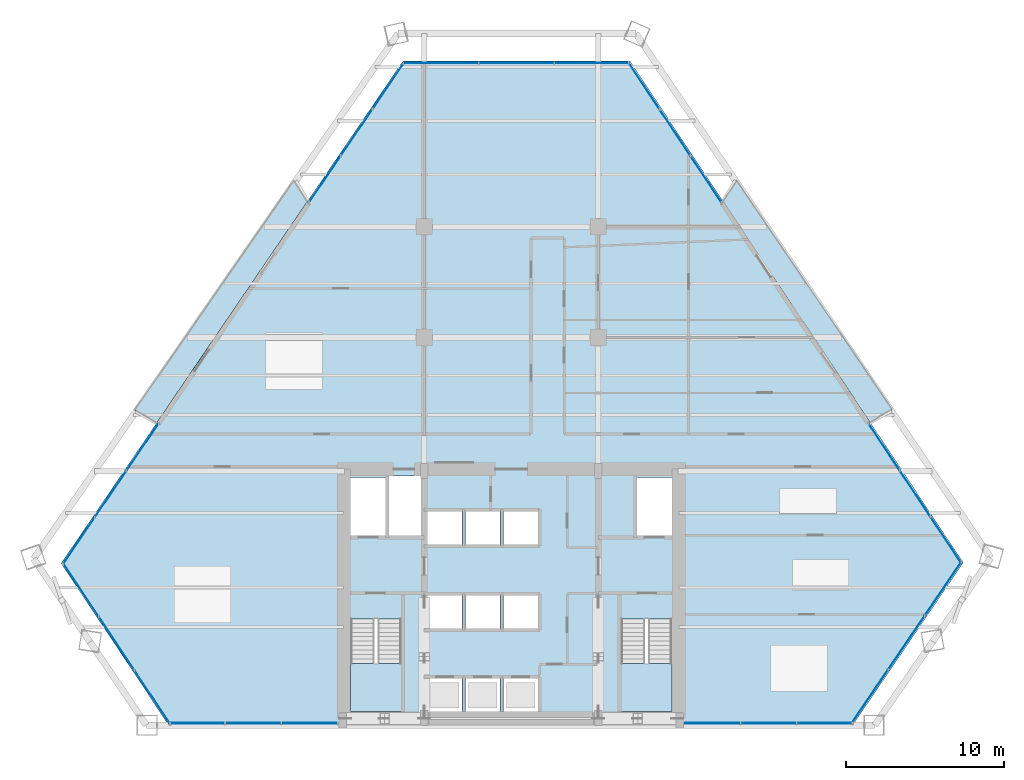
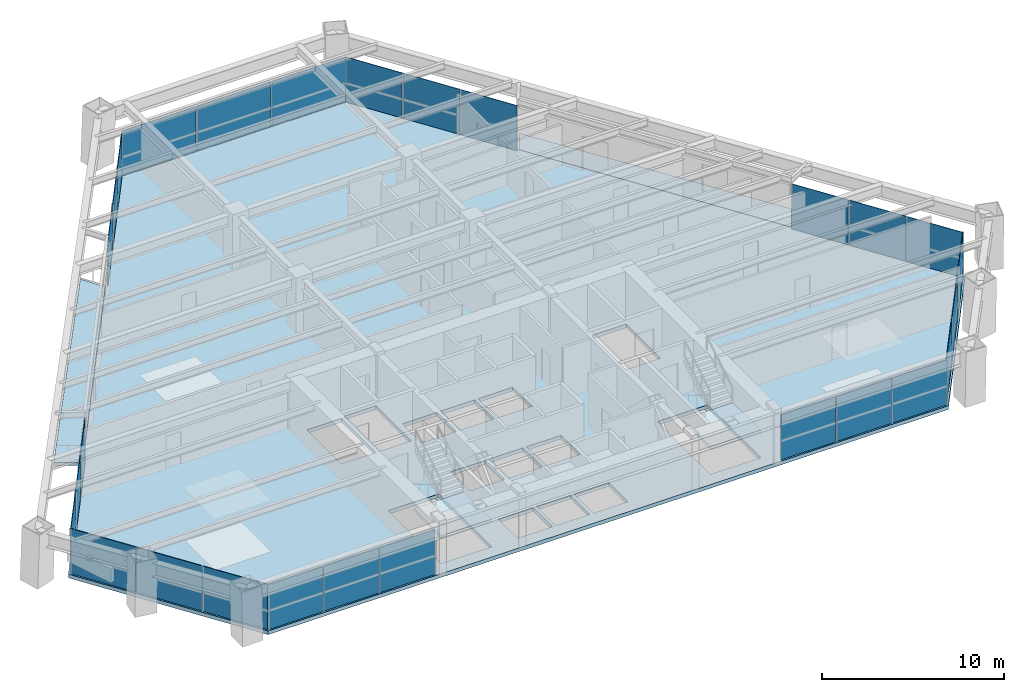
# One storey, part 9 of 15: 27 plates, 5 slabs, 11 elements without a shape of their own.
"""IFC4 building model written with IfcOpenShell, lengths in metres."""

from ifc_helpers import new_model, si_unit, direction, frame, origin, origin_2d, place, context, subcontext, project, spatial, polyline, rectangle, outline, extrude, source, transform, mapped, material, layer, layer_set, type_object, element, aggregate, save


model = new_model("IFC4")

# Units and contexts
model_context = context("Model", 3, precision=1e-05, world=origin(), true_north=direction((0.0, 1.0)))
body_context = subcontext(model_context, "Body", "Model", "MODEL_VIEW")
ifc_project = project(units=[si_unit("LENGTHUNIT", "METRE"), si_unit("AREAUNIT", "SQUARE_METRE"), si_unit("VOLUMEUNIT", "CUBIC_METRE"), si_unit("PLANEANGLEUNIT", "RADIAN"), si_unit("MASSUNIT", "GRAM", prefix="KILO")], contexts=[model_context])

# Site, building, storey
site_placement = place(None, origin())
site = spatial("IfcSite", under=ifc_project, at=site_placement, CompositionType="ELEMENT")
building_placement = place(site_placement, origin())
building = spatial("IfcBuilding", under=site, at=building_placement, Name="Varnakhor Terracotta Tower", CompositionType="ELEMENT")
storey_placement = place(building_placement, frame((0.0, 0.0, 57.10009765625)))
storey = spatial("IfcBuildingStorey", under=building, at=storey_placement, Name="L13", CompositionType="ELEMENT", Elevation=57.10009765625)

# Stair, slab
ifc_material_1 = material(Name="Concrete C40/50", Category="concrete")
stair_type = type_object("IfcStairType", Name="STR-CORE-OFFICE-1500", PredefinedType="HALF_TURN_STAIR", material=ifc_material_1)
stair_1_placement = place(storey_placement, origin())
stair_1 = element("IfcStair", 1, at=stair_1_placement, inside=storey, type_object=stair_type, Name="L13 Core Exit Stair ST-1", PredefinedType="HALF_TURN_STAIR")
ifc_layer_1 = layer(ifc_material_1, 0.179931640625, Name="Concrete C40/50")
ifc_layer_set_1 = layer_set([ifc_layer_1], Name="Concrete C40/50")
slab_type_1 = type_object("IfcSlabType", Name="SLB-LANDING-180", PredefinedType="LANDING", material=ifc_layer_set_1)
slab_1_placement = place(storey_placement, frame((0.0, 0.0, 1.64990234375)))
slab_1 = element("IfcSlab", 2, at=slab_1_placement, type_object=slab_type_1, Name="ST-1 landing 1", PredefinedType="LANDING", context=body_context, shape_type="SweptSolid", body=[
    extrude(outline(polyline([(-10.14990234375, 3.909912109375), (-10.14990234375, 0.85009765625), (-6.949951171875, 0.85009765625), (-6.949951171875, 3.909912109375), (-10.14990234375, 3.909912109375)])), origin(), (0.0, 0.0, 1.0), 0.199951171875),
])
aggregate(stair_1, [slab_1])

stair_2_placement = place(storey_placement, origin())
stair_2 = element("IfcStair", 3, at=stair_2_placement, inside=storey, type_object=stair_type, Name="L13 Core Exit Stair ST-2", PredefinedType="HALF_TURN_STAIR")
slab_2_placement = place(storey_placement, frame((0.0, 0.0, 1.64990234375)))
slab_2 = element("IfcSlab", 4, at=slab_2_placement, type_object=slab_type_1, Name="ST-2 landing 1", PredefinedType="LANDING", context=body_context, shape_type="SweptSolid", body=[
    extrude(outline(polyline([(6.949951171875, 3.909912109375), (6.949951171875, 0.85009765625), (10.14990234375, 0.85009765625), (10.14990234375, 3.909912109375), (6.949951171875, 3.909912109375)])), origin(), (0.0, 0.0, 1.0), 0.199951171875),
])
aggregate(stair_2, [slab_2])

# Slabs
ifc_layer_2 = layer(ifc_material_1, 0.195068359375, Name="Concrete C40/50")
ifc_layer_set_2 = layer_set([ifc_layer_2], Name="Concrete C40/50")
slab_type_2 = type_object("IfcSlabType", Name="SLB-LOGGIA-EXT-195", PredefinedType="FLOOR", material=ifc_layer_set_2)
slab_3_placement = place(storey_placement, frame((0.0, 0.0, -0.195068359375)))
element("IfcSlab", 5, at=slab_3_placement, inside=storey, type_object=slab_type_2, Name="L13 E Recessed Outdoor Loggia Slab", PredefinedType="FLOOR", context=body_context, shape_type="SweptSolid", body=[
    extrude(outline(polyline([(14.218994140625, 34.444580078125), (24.072998046875, 19.931640625), (22.673095703125, 19.1494140625), (13.40234375, 33.093017578125), (14.218994140625, 34.444580078125)])), origin(), (0.0, 0.0, 1.0), 0.195068359375),
])
slab_4_placement = place(storey_placement, frame((0.0, 0.0, -0.195068359375)))
element("IfcSlab", 6, at=slab_4_placement, inside=storey, type_object=slab_type_2, Name="L13 W Recessed Outdoor Loggia Slab", PredefinedType="FLOOR", context=body_context, shape_type="SweptSolid", body=[
    extrude(outline(polyline([(-23.802978515625, 19.891357421875), (-13.71533203125, 34.428955078125), (-12.89794921875, 33.077880859375), (-22.401611328125, 19.11083984375), (-23.802978515625, 19.891357421875)])), origin(), (0.0, 0.0, 1.0), 0.195068359375),
])
ifc_layer_3 = layer(ifc_material_1, 0.25, Name="Concrete C40/50")
ifc_layer_set_3 = layer_set([ifc_layer_3], Name="Concrete C40/50")
slab_type_3 = type_object("IfcSlabType", Name="SLB-OFF-250", PredefinedType="FLOOR", material=ifc_layer_set_3)
slab_5_placement = place(storey_placement, frame((0.0, 0.0, -0.25)))
element("IfcSlab", 7, at=slab_5_placement, inside=storey, type_object=slab_type_3, Name="L13 Structural Floor Slab", PredefinedType="FLOOR", context=body_context, shape_type="SweptSolid", body=[
    extrude(outline(polyline([(-28.44970703125, 10.22265625), (-6.85009765625, 41.966064453125), (7.502685546875, 41.966064453125), (28.572998046875, 10.276123046875), (21.58056640625, 0.0), (-21.652587890625, 0.0), (-28.44970703125, 10.22265625)]), holes=[polyline([(-3.10009765625, 0.85009765625), (-3.10009765625, 2.949951171875), (-5.300048828125, 2.949951171875), (-5.300048828125, 0.85009765625), (-3.10009765625, 0.85009765625)]), polyline([(-2.8798828125, 0.85009765625), (-0.719970703125, 0.85009765625), (-0.719970703125, 2.949951171875), (-2.8798828125, 2.949951171875), (-2.8798828125, 0.85009765625)]), polyline([(-10.14990234375, 0.85009765625), (-6.949951171875, 0.85009765625), (-6.949951171875, 6.695068359375), (-10.14990234375, 6.695068359375), (-10.14990234375, 0.85009765625)]), polyline([(-5.300048828125, 6.10009765625), (-3.10009765625, 6.10009765625), (-3.10009765625, 8.199951171875), (-5.300048828125, 8.199951171875), (-5.300048828125, 6.10009765625)]), polyline([(-5.300048828125, 11.419921875), (-3.10009765625, 11.419921875), (-3.10009765625, 13.52001953125), (-5.300048828125, 13.52001953125), (-5.300048828125, 11.419921875)]), polyline([(-10.14990234375, 11.8798828125), (-7.949951171875, 11.8798828125), (-7.949951171875, 15.64990234375), (-10.14990234375, 15.64990234375), (-10.14990234375, 11.8798828125)]), polyline([(-7.72998046875, 11.8798828125), (-5.699951171875, 11.8798828125), (-5.699951171875, 15.75), (-7.72998046875, 15.75), (-7.72998046875, 11.8798828125)]), polyline([(1.699951171875, 0.85009765625), (1.699951171875, 2.949951171875), (-0.5, 2.949951171875), (-0.5, 0.85009765625), (1.699951171875, 0.85009765625)]), polyline([(6.949951171875, 0.85009765625), (10.14990234375, 0.85009765625), (10.14990234375, 6.695068359375), (6.949951171875, 6.695068359375), (6.949951171875, 0.85009765625)]), polyline([(-2.8798828125, 6.10009765625), (-0.719970703125, 6.10009765625), (-0.719970703125, 8.199951171875), (-2.8798828125, 8.199951171875), (-2.8798828125, 6.10009765625)]), polyline([(-0.5, 6.10009765625), (1.699951171875, 6.10009765625), (1.699951171875, 8.199951171875), (-0.5, 8.199951171875), (-0.5, 6.10009765625)]), polyline([(-2.8798828125, 11.419921875), (-0.719970703125, 11.419921875), (-0.719970703125, 13.52001953125), (-2.8798828125, 13.52001953125), (-2.8798828125, 11.419921875)]), polyline([(-0.5, 11.419921875), (1.699951171875, 11.419921875), (1.699951171875, 13.52001953125), (-0.5, 13.52001953125), (-0.5, 11.419921875)]), polyline([(7.949951171875, 11.8798828125), (10.14990234375, 11.8798828125), (10.14990234375, 15.64990234375), (7.949951171875, 15.64990234375), (7.949951171875, 11.8798828125)])]), origin(), (0.0, 0.0, 1.0), 0.25),
])

# Curtain wall, plates
ifc_material_2 = material(Name="Anodised Aluminium Curtain Wall System", Category="aluminium")
curtain_wall_type = type_object("IfcCurtainWallType", Name="CW-SYS-LOW-OFFICE", PredefinedType="NOTDEFINED", material=ifc_material_2)
curtain_wall_1_placement = place(storey_placement, origin())
curtain_wall_1 = element("IfcCurtainWall", 8, at=curtain_wall_1_placement, inside=storey, type_object=curtain_wall_type, Name="L13 W Facet Curtain Wall 1", PredefinedType="NOTDEFINED")
ifc_material_3 = material(Name="Solar-Control Low-E Insulated Glass Panel", Category="glass")
ifc_layer_4 = layer(ifc_material_3, 0.0380859375, Name="Solar-Control Low-E Insulated Glass Panel")
ifc_layer_set_4 = layer_set([ifc_layer_4], Name="Solar-Control Low-E Insulated Glass Panel")
plate_type = type_object("IfcPlateType", Name="CWP-02", PredefinedType="CURTAIN_PANEL", material=ifc_layer_set_4)
shared_shape_1 = source(origin(), body_context, "Body", "SweptSolid", [
    extrude(rectangle(XDim=3.523681640625, YDim=0.035888671875, at=origin_2d()), origin(), (0.0, 0.0, 1.0), 3.030029296875),
])
plate_1_placement = place(storey_placement, frame((-27.331298828125, 11.653076171875, 0.0), z_axis=(0.0, 0.0, 1.0), x_axis=(0.56255964881, 0.826756700324, 0.0)))
plate_1 = element("IfcPlate", 9, at=plate_1_placement, type_object=plate_type, Name="L13 W Facet Curtain Wall 1 Glazed Panel 1", PredefinedType="CURTAIN_PANEL", context=body_context, shape_type="MappedRepresentation", body=[
    mapped(shared_shape_1, transform((0.0, 0.0, 0.0), scale=1.0)),
])
plate_2_placement = place(storey_placement, frame((-25.326416015625, 14.59912109375, 0.0), z_axis=(0.0, 0.0, 1.0), x_axis=(0.56255964881, 0.826756700324, 0.0)))
plate_2 = element("IfcPlate", 10, at=plate_2_placement, type_object=plate_type, Name="L13 W Facet Curtain Wall 1 Glazed Panel 2", PredefinedType="CURTAIN_PANEL", context=body_context, shape_type="MappedRepresentation", body=[
    mapped(shared_shape_1, transform((0.0, 0.0, 0.0), scale=1.0)),
])

curtain_wall_2_placement = place(storey_placement, origin())
curtain_wall_2 = element("IfcCurtainWall", 11, at=curtain_wall_2_placement, inside=storey, type_object=curtain_wall_type, Name="L13 W Facet Curtain Wall 2", PredefinedType="NOTDEFINED")
plate_3_placement = place(storey_placement, frame((-11.779541015625, 34.50830078125, 0.0), z_axis=(0.0, 0.0, 1.0), x_axis=(0.56255964881, 0.826756700324, 0.0)))
plate_3 = element("IfcPlate", 12, at=plate_3_placement, type_object=plate_type, Name="L13 W Facet Curtain Wall 2 Glazed Panel 1", PredefinedType="CURTAIN_PANEL", context=body_context, shape_type="MappedRepresentation", body=[
    mapped(shared_shape_1, transform((0.0, 0.0, 0.0), scale=1.0)),
])
plate_4_placement = place(storey_placement, frame((-9.77490234375, 37.454345703125, 0.0), z_axis=(0.0, 0.0, 1.0), x_axis=(0.56255964881, 0.826756700324, 0.0)))
plate_4 = element("IfcPlate", 13, at=plate_4_placement, type_object=plate_type, Name="L13 W Facet Curtain Wall 2 Glazed Panel 2", PredefinedType="CURTAIN_PANEL", context=body_context, shape_type="MappedRepresentation", body=[
    mapped(shared_shape_1, transform((0.0, 0.0, 0.0), scale=1.0)),
])
plate_5_placement = place(storey_placement, frame((-7.770263671875, 40.400634765625, 0.0), z_axis=(0.0, 0.0, 1.0), x_axis=(0.56255964881, 0.826756700324, 0.0)))
plate_5 = element("IfcPlate", 14, at=plate_5_placement, type_object=plate_type, Name="L13 W Facet Curtain Wall 2 Glazed Panel 3", PredefinedType="CURTAIN_PANEL", context=body_context, shape_type="MappedRepresentation", body=[
    mapped(shared_shape_1, transform((0.0, 0.0, 0.0), scale=1.0)),
])
aggregate(curtain_wall_2, [plate_3, plate_4, plate_5])

# Plate
shared_shape_2 = source(origin(), body_context, "Body", "SweptSolid", [
    extrude(rectangle(XDim=3.5234375, YDim=0.035888671875, at=origin_2d()), origin(), (0.0, 0.0, 1.0), 3.030029296875),
])
plate_6_placement = place(storey_placement, frame((-23.32177734375, 17.54541015625, 0.0), z_axis=(0.0, 0.0, 1.0), x_axis=(0.56255964881, 0.826756700324, 0.0)))
plate_6 = element("IfcPlate", 15, at=plate_6_placement, type_object=plate_type, Name="L13 W Facet Curtain Wall 1 Glazed Panel 3", PredefinedType="CURTAIN_PANEL", context=body_context, shape_type="MappedRepresentation", body=[
    mapped(shared_shape_2, transform((0.0, 0.0, 0.0), scale=1.0)),
])

aggregate(curtain_wall_1, [plate_1, plate_2, plate_6])

# Curtain wall, plates
curtain_wall_3_placement = place(storey_placement, origin())
curtain_wall_3 = element("IfcCurtainWall", 16, at=curtain_wall_3_placement, inside=storey, type_object=curtain_wall_type, Name="L13 Facet Curtain Wall 2", PredefinedType="NOTDEFINED")
shared_shape_3 = source(origin(), body_context, "Body", "SweptSolid", [
    extrude(rectangle(XDim=4.724365234375, YDim=0.035888671875, at=origin_2d()), origin(), (0.0, 0.0, 1.0), 3.030029296875),
])
plate_7_placement = place(storey_placement, frame((-4.43798828125, 41.845947265625, 0.0), z_axis=(0.0, 0.0, 1.0), x_axis=(1.0, 0.0, 0.0)))
plate_7 = element("IfcPlate", 17, at=plate_7_placement, type_object=plate_type, Name="L13 Facet Curtain Wall 2 Glazed Panel 1", PredefinedType="CURTAIN_PANEL", context=body_context, shape_type="MappedRepresentation", body=[
    mapped(shared_shape_3, transform((0.0, 0.0, 0.0), scale=1.0)),
])
plate_8_placement = place(storey_placement, frame((5.090576171875, 41.845947265625, 0.0), z_axis=(0.0, 0.0, 1.0), x_axis=(1.0, 0.0, 0.0)))
plate_8 = element("IfcPlate", 18, at=plate_8_placement, type_object=plate_type, Name="L13 Facet Curtain Wall 2 Glazed Panel 3", PredefinedType="CURTAIN_PANEL", context=body_context, shape_type="MappedRepresentation", body=[
    mapped(shared_shape_3, transform((0.0, 0.0, 0.0), scale=1.0)),
])
shared_shape_4 = source(origin(), body_context, "Body", "SweptSolid", [
    extrude(rectangle(XDim=4.72412109375, YDim=0.035888671875, at=origin_2d()), origin(), (0.0, 0.0, 1.0), 3.030029296875),
])
plate_9_placement = place(storey_placement, frame((0.326416015625, 41.845947265625, 0.0), z_axis=(0.0, 0.0, 1.0), x_axis=(1.0, 0.0, 0.0)))
plate_9 = element("IfcPlate", 19, at=plate_9_placement, type_object=plate_type, Name="L13 Facet Curtain Wall 2 Glazed Panel 2", PredefinedType="CURTAIN_PANEL", context=body_context, shape_type="MappedRepresentation", body=[
    mapped(shared_shape_4, transform((0.0, 0.0, 0.0), scale=1.0)),
])
aggregate(curtain_wall_3, [plate_7, plate_9, plate_8])

curtain_wall_4_placement = place(storey_placement, origin())
curtain_wall_4 = element("IfcCurtainWall", 20, at=curtain_wall_4_placement, inside=storey, type_object=curtain_wall_type, Name="L13 E Facet Curtain Wall 1", PredefinedType="NOTDEFINED")
shared_shape_5 = source(origin(), body_context, "Body", "SweptSolid", [
    extrude(rectangle(XDim=3.491943359375, YDim=0.035888671875, at=origin_2d()), origin(), (0.0, 0.0, 1.0), 3.030029296875),
])
plate_10_placement = place(storey_placement, frame((8.397216796875, 40.404052734375, 0.0), z_axis=(0.0, 0.0, 1.0), x_axis=(0.553667725954, -0.832737683329, 0.0)))
plate_10 = element("IfcPlate", 21, at=plate_10_placement, type_object=plate_type, Name="L13 E Facet Curtain Wall 1 Glazed Panel 1", PredefinedType="CURTAIN_PANEL", context=body_context, shape_type="MappedRepresentation", body=[
    mapped(shared_shape_5, transform((0.0, 0.0, 0.0), scale=1.0)),
])
plate_11_placement = place(storey_placement, frame((12.30810546875, 34.52197265625, 0.0), z_axis=(0.0, 0.0, 1.0), x_axis=(0.553667725954, -0.832737683329, 0.0)))
plate_11 = element("IfcPlate", 22, at=plate_11_placement, type_object=plate_type, Name="L13 E Facet Curtain Wall 1 Glazed Panel 3", PredefinedType="CURTAIN_PANEL", context=body_context, shape_type="MappedRepresentation", body=[
    mapped(shared_shape_5, transform((0.0, 0.0, 0.0), scale=1.0)),
])

curtain_wall_5_placement = place(storey_placement, origin())
curtain_wall_5 = element("IfcCurtainWall", 23, at=curtain_wall_5_placement, inside=storey, type_object=curtain_wall_type, Name="L13 E Facet Curtain Wall 2", PredefinedType="NOTDEFINED")
plate_12_placement = place(storey_placement, frame((25.523193359375, 14.646484375, 0.0), z_axis=(0.0, 0.0, 1.0), x_axis=(0.553667725954, -0.832737683329, 0.0)))
plate_12 = element("IfcPlate", 24, at=plate_12_placement, type_object=plate_type, Name="L13 E Facet Curtain Wall 2 Glazed Panel 2", PredefinedType="CURTAIN_PANEL", context=body_context, shape_type="MappedRepresentation", body=[
    mapped(shared_shape_5, transform((0.0, 0.0, 0.0), scale=1.0)),
])
plate_13_placement = place(storey_placement, frame((27.478759765625, 11.705078125, 0.0), z_axis=(0.0, 0.0, 1.0), x_axis=(0.553667725954, -0.832737683329, 0.0)))
plate_13 = element("IfcPlate", 25, at=plate_13_placement, type_object=plate_type, Name="L13 E Facet Curtain Wall 2 Glazed Panel 3", PredefinedType="CURTAIN_PANEL", context=body_context, shape_type="MappedRepresentation", body=[
    mapped(shared_shape_5, transform((0.0, 0.0, 0.0), scale=1.0)),
])

# Plate
shared_shape_6 = source(origin(), body_context, "Body", "SweptSolid", [
    extrude(rectangle(XDim=3.49169921875, YDim=0.035888671875, at=origin_2d()), origin(), (0.0, 0.0, 1.0), 3.030029296875),
])
plate_14_placement = place(storey_placement, frame((10.3525390625, 37.462890625, 0.0), z_axis=(0.0, 0.0, 1.0), x_axis=(0.553667725954, -0.832737683329, 0.0)))
plate_14 = element("IfcPlate", 26, at=plate_14_placement, type_object=plate_type, Name="L13 E Facet Curtain Wall 1 Glazed Panel 2", PredefinedType="CURTAIN_PANEL", context=body_context, shape_type="MappedRepresentation", body=[
    mapped(shared_shape_6, transform((0.0, 0.0, 0.0), scale=1.0)),
])

aggregate(curtain_wall_4, [plate_10, plate_14, plate_11])

plate_15_placement = place(storey_placement, frame((23.567626953125, 17.58740234375, 0.0), z_axis=(0.0, 0.0, 1.0), x_axis=(0.553667725954, -0.832737683329, 0.0)))
plate_15 = element("IfcPlate", 27, at=plate_15_placement, type_object=plate_type, Name="L13 E Facet Curtain Wall 2 Glazed Panel 1", PredefinedType="CURTAIN_PANEL", context=body_context, shape_type="MappedRepresentation", body=[
    mapped(shared_shape_6, transform((0.0, 0.0, 0.0), scale=1.0)),
])

aggregate(curtain_wall_5, [plate_15, plate_12, plate_13])

# Curtain wall, plates
curtain_wall_6_placement = place(storey_placement, origin())
curtain_wall_6 = element("IfcCurtainWall", 28, at=curtain_wall_6_placement, inside=storey, type_object=curtain_wall_type, Name="L13 Facet Curtain Wall 4", PredefinedType="NOTDEFINED")
shared_shape_7 = source(origin(), body_context, "Body", "SweptSolid", [
    extrude(rectangle(XDim=4.083251953125, YDim=0.035888671875, at=origin_2d()), origin(), (0.0, 0.0, 1.0), 3.030029296875),
])
plate_16_placement = place(storey_placement, frame((27.297119140625, 8.614501953125, 0.0), z_axis=(0.0, 0.0, 1.0), x_axis=(-0.56255964881, -0.826756700324, 0.0)))
plate_16 = element("IfcPlate", 29, at=plate_16_placement, type_object=plate_type, Name="L13 Facet Curtain Wall 4 Glazed Panel 1", PredefinedType="CURTAIN_PANEL", context=body_context, shape_type="MappedRepresentation", body=[
    mapped(shared_shape_7, transform((0.0, 0.0, 0.0), scale=1.0)),
])
plate_17_placement = place(storey_placement, frame((22.657958984375, 1.796630859375, 0.0), z_axis=(0.0, 0.0, 1.0), x_axis=(-0.56255964881, -0.826756700324, 0.0)))
plate_17 = element("IfcPlate", 30, at=plate_17_placement, type_object=plate_type, Name="L13 Facet Curtain Wall 4 Glazed Panel 3", PredefinedType="CURTAIN_PANEL", context=body_context, shape_type="MappedRepresentation", body=[
    mapped(shared_shape_7, transform((0.0, 0.0, 0.0), scale=1.0)),
])
shared_shape_8 = source(origin(), body_context, "Body", "SweptSolid", [
    extrude(rectangle(XDim=4.0830078125, YDim=0.035888671875, at=origin_2d()), origin(), (0.0, 0.0, 1.0), 3.030029296875),
])
plate_18_placement = place(storey_placement, frame((24.9775390625, 5.20556640625, 0.0), z_axis=(0.0, 0.0, 1.0), x_axis=(-0.56255964881, -0.826756700324, 0.0)))
plate_18 = element("IfcPlate", 31, at=plate_18_placement, type_object=plate_type, Name="L13 Facet Curtain Wall 4 Glazed Panel 2", PredefinedType="CURTAIN_PANEL", context=body_context, shape_type="MappedRepresentation", body=[
    mapped(shared_shape_8, transform((0.0, 0.0, 0.0), scale=1.0)),
])
aggregate(curtain_wall_6, [plate_16, plate_18, plate_17])

curtain_wall_7_placement = place(storey_placement, origin())
curtain_wall_7 = element("IfcCurtainWall", 32, at=curtain_wall_7_placement, inside=storey, type_object=curtain_wall_type, Name="L13 South Wing Curtain Wall SSE", PredefinedType="NOTDEFINED")
shared_shape_9 = source(origin(), body_context, "Body", "SweptSolid", [
    extrude(rectangle(XDim=3.493408203125, YDim=0.035888671875, at=origin_2d()), origin(), (0.0, 0.0, 1.0), 3.030029296875),
])
plate_19_placement = place(storey_placement, frame((19.8037109375, 0.1201171875, 0.0), z_axis=(0.0, 0.0, 1.0), x_axis=(-1.0, 0.0, 0.0)))
plate_19 = element("IfcPlate", 33, at=plate_19_placement, type_object=plate_type, Name="L13 South Wing Curtain Wall SSE Glazed Panel 1", PredefinedType="CURTAIN_PANEL", context=body_context, shape_type="MappedRepresentation", body=[
    mapped(shared_shape_9, transform((0.0, 0.0, 0.0), scale=1.0)),
])
plate_20_placement = place(storey_placement, frame((12.73681640625, 0.1201171875, 0.0), z_axis=(0.0, 0.0, 1.0), x_axis=(-1.0, 0.0, 0.0)))
plate_20 = element("IfcPlate", 34, at=plate_20_placement, type_object=plate_type, Name="L13 South Wing Curtain Wall SSE Glazed Panel 3", PredefinedType="CURTAIN_PANEL", context=body_context, shape_type="MappedRepresentation", body=[
    mapped(shared_shape_9, transform((0.0, 0.0, 0.0), scale=1.0)),
])
shared_shape_10 = source(origin(), body_context, "Body", "SweptSolid", [
    extrude(rectangle(XDim=3.49365234375, YDim=0.035888671875, at=origin_2d()), origin(), (0.0, 0.0, 1.0), 3.030029296875),
])
plate_21_placement = place(storey_placement, frame((16.270263671875, 0.1201171875, 0.0), z_axis=(0.0, 0.0, 1.0), x_axis=(-1.0, 0.0, 0.0)))
plate_21 = element("IfcPlate", 35, at=plate_21_placement, type_object=plate_type, Name="L13 South Wing Curtain Wall SSE Glazed Panel 2", PredefinedType="CURTAIN_PANEL", context=body_context, shape_type="MappedRepresentation", body=[
    mapped(shared_shape_10, transform((0.0, 0.0, 0.0), scale=1.0)),
])
aggregate(curtain_wall_7, [plate_19, plate_21, plate_20])

curtain_wall_8_placement = place(storey_placement, origin())
curtain_wall_8 = element("IfcCurtainWall", 36, at=curtain_wall_8_placement, inside=storey, type_object=curtain_wall_type, Name="L13 South Wing Curtain Wall SSW", PredefinedType="NOTDEFINED")
shared_shape_11 = source(origin(), body_context, "Body", "SweptSolid", [
    extrude(rectangle(XDim=3.517578125, YDim=0.035888671875, at=origin_2d()), origin(), (0.0, 0.0, 1.0), 3.030029296875),
])
plate_22_placement = place(storey_placement, frame((-12.748779296875, 0.1201171875, 0.0), z_axis=(0.0, 0.0, 1.0), x_axis=(-1.0, 0.0, 0.0)))
plate_22 = element("IfcPlate", 37, at=plate_22_placement, type_object=plate_type, Name="L13 South Wing Curtain Wall SSW Glazed Panel 1", PredefinedType="CURTAIN_PANEL", context=body_context, shape_type="MappedRepresentation", body=[
    mapped(shared_shape_11, transform((0.0, 0.0, 0.0), scale=1.0)),
])
plate_23_placement = place(storey_placement, frame((-16.306396484375, 0.1201171875, 0.0), z_axis=(0.0, 0.0, 1.0), x_axis=(-1.0, 0.0, 0.0)))
plate_23 = element("IfcPlate", 38, at=plate_23_placement, type_object=plate_type, Name="L13 South Wing Curtain Wall SSW Glazed Panel 2", PredefinedType="CURTAIN_PANEL", context=body_context, shape_type="MappedRepresentation", body=[
    mapped(shared_shape_11, transform((0.0, 0.0, 0.0), scale=1.0)),
])
plate_24_placement = place(storey_placement, frame((-19.864013671875, 0.1201171875, 0.0), z_axis=(0.0, 0.0, 1.0), x_axis=(-1.0, 0.0, 0.0)))
plate_24 = element("IfcPlate", 39, at=plate_24_placement, type_object=plate_type, Name="L13 South Wing Curtain Wall SSW Glazed Panel 3", PredefinedType="CURTAIN_PANEL", context=body_context, shape_type="MappedRepresentation", body=[
    mapped(shared_shape_11, transform((0.0, 0.0, 0.0), scale=1.0)),
])
aggregate(curtain_wall_8, [plate_22, plate_23, plate_24])

curtain_wall_9_placement = place(storey_placement, origin())
curtain_wall_9 = element("IfcCurtainWall", 40, at=curtain_wall_9_placement, inside=storey, type_object=curtain_wall_type, Name="L13 Facet Curtain Wall 6", PredefinedType="NOTDEFINED")
shared_shape_12 = source(origin(), body_context, "Body", "SweptSolid", [
    extrude(rectangle(XDim=4.031982421875, YDim=0.035888671875, at=origin_2d()), origin(), (0.0, 0.0, 1.0), 3.030029296875),
])
plate_25_placement = place(storey_placement, frame((-22.696533203125, 1.786865234375, 0.0), z_axis=(0.0, 0.0, 1.0), x_axis=(-0.553682259884, 0.832728019878, 0.0)))
plate_25 = element("IfcPlate", 41, at=plate_25_placement, type_object=plate_type, Name="L13 Facet Curtain Wall 6 Glazed Panel 1", PredefinedType="CURTAIN_PANEL", context=body_context, shape_type="MappedRepresentation", body=[
    mapped(shared_shape_12, transform((0.0, 0.0, 0.0), scale=1.0)),
])
plate_26_placement = place(storey_placement, frame((-24.951171875, 5.177734375, 0.0), z_axis=(0.0, 0.0, 1.0), x_axis=(-0.553682259884, 0.832728019878, 0.0)))
plate_26 = element("IfcPlate", 42, at=plate_26_placement, type_object=plate_type, Name="L13 Facet Curtain Wall 6 Glazed Panel 2", PredefinedType="CURTAIN_PANEL", context=body_context, shape_type="MappedRepresentation", body=[
    mapped(shared_shape_12, transform((0.0, 0.0, 0.0), scale=1.0)),
])
plate_27_placement = place(storey_placement, frame((-27.205810546875, 8.568603515625, 0.0), z_axis=(0.0, 0.0, 1.0), x_axis=(-0.553682259884, 0.832728019878, 0.0)))
plate_27 = element("IfcPlate", 43, at=plate_27_placement, type_object=plate_type, Name="L13 Facet Curtain Wall 6 Glazed Panel 3", PredefinedType="CURTAIN_PANEL", context=body_context, shape_type="MappedRepresentation", body=[
    mapped(shared_shape_12, transform((0.0, 0.0, 0.0), scale=1.0)),
])
aggregate(curtain_wall_9, [plate_25, plate_26, plate_27])

save(model, "model.ifc")
